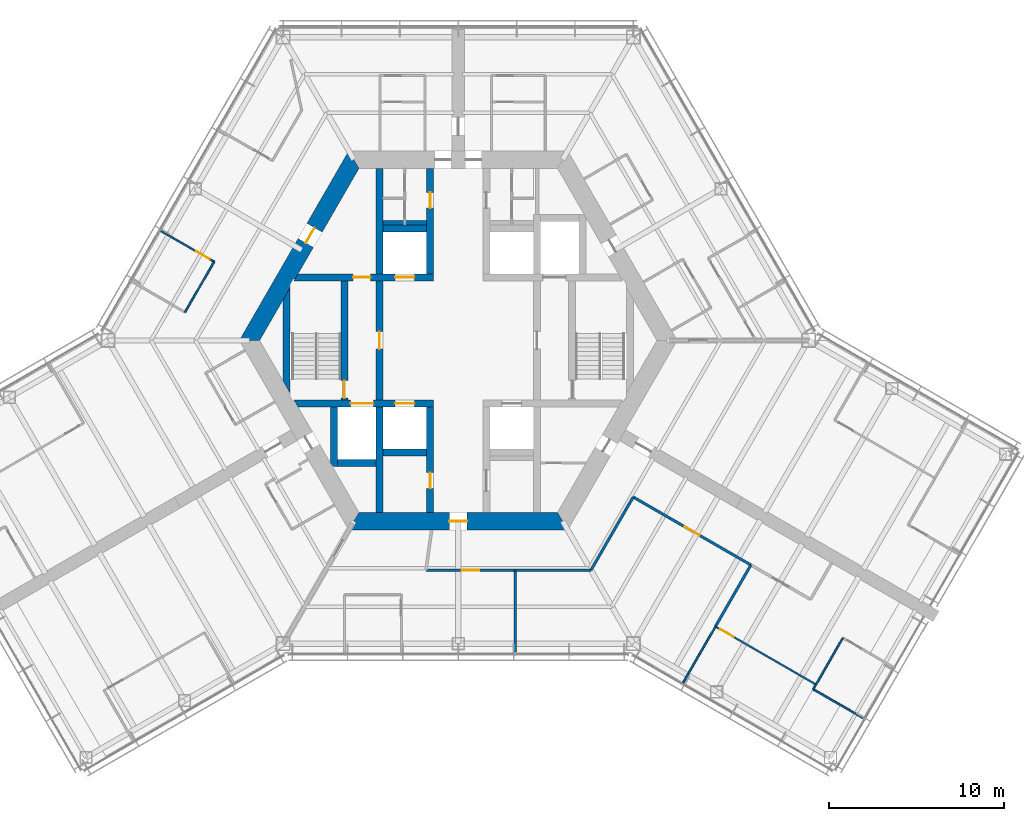
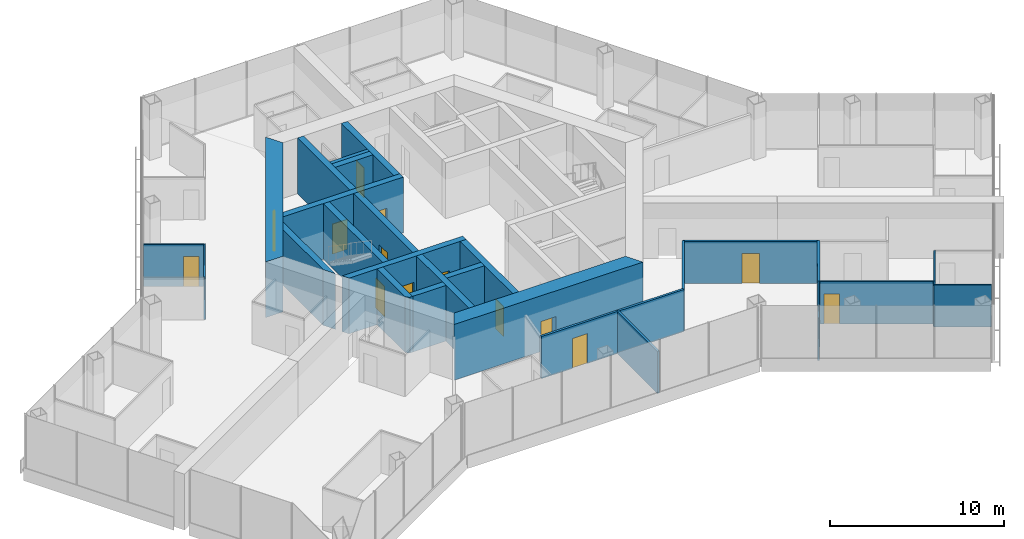
# One storey, part 12 of 18: 29 walls, 14 doors, 14 openings.
"""IFC4 building model written with IfcOpenShell, lengths in metres."""

from ifc_helpers import new_model, si_unit, direction, frame, frame_2d, origin, place, context, subcontext, project, spatial, polyline, rectangle, outline, extrude, material, layer, layer_set, type_object, element, fill, save


model = new_model("IFC4")

# Units and contexts
model_context = context("Model", 3, precision=1e-05, world=origin(), true_north=direction((0.0, 1.0)))
body_context = subcontext(model_context, "Body", "Model", "MODEL_VIEW")
ifc_project = project(units=[si_unit("LENGTHUNIT", "METRE"), si_unit("AREAUNIT", "SQUARE_METRE"), si_unit("VOLUMEUNIT", "CUBIC_METRE"), si_unit("PLANEANGLEUNIT", "RADIAN"), si_unit("MASSUNIT", "GRAM", prefix="KILO")], contexts=[model_context])

# Site, building, storey
site_placement = place(None, origin())
site = spatial("IfcSite", under=ifc_project, at=site_placement, CompositionType="ELEMENT")
building_placement = place(site_placement, origin())
building = spatial("IfcBuilding", under=site, at=building_placement, Name="Kasaneha Research Tower", CompositionType="ELEMENT")
storey_placement = place(building_placement, frame((0.0, 0.0, 168.199951171875)))
storey = spatial("IfcBuildingStorey", under=building, at=storey_placement, Name="L42", CompositionType="ELEMENT", Elevation=168.199951171875)

# Wall, openings, doors
ifc_material_1 = material(Name="Concrete Fc70", Category="concrete")
ifc_layer_1 = layer(ifc_material_1, 0.39990234375)
ifc_layer_set_1 = layer_set([ifc_layer_1], Name="Core internal wall 400 Fc70")
wall_type_1 = type_object("IfcWallType", Name="Core internal wall 400 Fc70", PredefinedType="SHEAR", material=ifc_layer_set_1)
wall_1_placement = place(storey_placement, frame((-9.266357421875, 3.60009765625, 0.0), z_axis=(0.0, 0.0, 1.0), x_axis=(1.0, 0.0, 0.0)))
wall_1 = element("IfcWall", 1, at=wall_1_placement, inside=storey, type_object=wall_type_1, Name="Core wall W1W L42", PredefinedType="SHEAR", context=body_context, shape_type="SweptSolid", body=[
    extrude(outline(polyline([(-0.115478515625, -0.199951171875), (3.266357421875, -0.199951171875), (4.266357421875, -0.199951171875), (5.66650390625, -0.199951171875), (6.7666015625, -0.199951171875), (7.866455078125, -0.199951171875), (7.866455078125, 0.199951171875), (6.7666015625, 0.199951171875), (5.66650390625, 0.199951171875), (4.266357421875, 0.199951171875), (3.266357421875, 0.199951171875), (0.115478515625, 0.199951171875), (-0.115478515625, -0.199951171875)])), origin(), (0.0, 0.0, 1.0), 3.900146484375),
])
opening_1_placement = place(wall_1_placement, frame((3.266357421875, 0.0, 0.0)))
opening_1 = element("IfcOpeningElement", 2, at=opening_1_placement, cuts=wall_1, Name="Opening L42-D12", PredefinedType="OPENING", context=body_context, shape_type="SweptSolid", body=[
    extrude(rectangle(XDim=1.0, YDim=2.10009765625, at=frame_2d((0.5, 1.050048828125))), frame((0.0, 0.2099609375, 0.0), z_axis=(0.0, -1.0, 0.0), x_axis=(1.0, 0.0, 0.0)), (0.0, 0.0, 1.0), 0.419921875),
])
opening_2_placement = place(wall_1_placement, frame((5.66650390625, 0.0, 0.0)))
opening_2 = element("IfcOpeningElement", 3, at=opening_2_placement, cuts=wall_1, Name="Opening LD-LM1-L42", PredefinedType="OPENING", context=body_context, shape_type="SweptSolid", body=[
    extrude(rectangle(XDim=1.10009765625, YDim=2.10009765625, at=frame_2d((0.550048828125, 1.050048828125))), frame((0.0, 0.2099609375, 0.0), z_axis=(0.0, -1.0, 0.0), x_axis=(1.0, 0.0, 0.0)), (0.0, 0.0, 1.0), 0.419921875),
])
ifc_material_2 = material(Name="Steel", Category="steel")
door_type_1 = type_object("IfcDoorType", Name="Lift landing door 1100x2100", OperationType="DOUBLE_DOOR_SLIDING", PredefinedType="DOOR", material=ifc_material_2)
door_1_placement = place(opening_2_placement, origin())
door_1 = element("IfcDoor", 4, at=door_1_placement, inside=storey, type_object=door_type_1, Name="Landing door LM1 LD-LM1-L42", OperationType="DOUBLE_DOOR_SLIDING", OverallHeight=2.10009765625, OverallWidth=1.10009765625, PredefinedType="DOOR", context=body_context, shape_type="SweptSolid", body=[
    extrude(rectangle(XDim=1.10009765625, YDim=2.10009765625, at=frame_2d((0.550048828125, 1.050048828125))), frame((0.0, 0.02490234375, 0.0), z_axis=(0.0, -1.0, 0.0), x_axis=(1.0, 0.0, 0.0)), (0.0, 0.0, 1.0), 0.050048828125),
])
fill(opening_2, door_1)
ifc_material_3 = material(Name="Steel", Category="steel")
door_type_2 = type_object("IfcDoorType", Name="Specified fire door FD60 1000x2100", OperationType="NOTDEFINED", PredefinedType="DOOR", material=ifc_material_3)
door_2_placement = place(opening_1_placement, origin())
door_2 = element("IfcDoor", 5, at=door_2_placement, inside=storey, type_object=door_type_2, Name="Vestibule to lobby door L42-D12", OperationType="SINGLE_SWING_LEFT", OverallHeight=2.10009765625, OverallWidth=1.0, PredefinedType="DOOR", context=body_context, shape_type="SweptSolid", body=[
    extrude(rectangle(XDim=1.0, YDim=2.10009765625, at=frame_2d((0.5, 1.050048828125))), frame((0.0, 0.02490234375, 0.0), z_axis=(0.0, -1.0, 0.0), x_axis=(1.0, 0.0, 0.0)), (0.0, 0.0, 1.0), 0.050048828125),
])
fill(opening_1, door_2)

wall_2_placement = place(storey_placement, frame((-9.266357421875, -3.60009765625, 0.0), z_axis=(0.0, 0.0, 1.0), x_axis=(1.0, 0.0, 0.0)))
wall_2 = element("IfcWall", 6, at=wall_2_placement, inside=storey, type_object=wall_type_1, Name="Core wall W2W L42", PredefinedType="SHEAR", context=body_context, shape_type="SweptSolid", body=[
    extrude(outline(polyline([(0.115478515625, -0.199951171875), (3.116455078125, -0.199951171875), (4.41650390625, -0.199951171875), (5.66650390625, -0.199951171875), (6.7666015625, -0.199951171875), (7.866455078125, -0.199951171875), (7.866455078125, 0.199951171875), (6.7666015625, 0.199951171875), (5.66650390625, 0.199951171875), (4.41650390625, 0.199951171875), (3.116455078125, 0.199951171875), (-0.115478515625, 0.199951171875), (0.115478515625, -0.199951171875)])), origin(), (0.0, 0.0, 1.0), 3.900146484375),
])
opening_3_placement = place(wall_2_placement, frame((5.66650390625, 0.0, 0.0)))
opening_3 = element("IfcOpeningElement", 7, at=opening_3_placement, cuts=wall_2, Name="Opening LD-LM3-L42", PredefinedType="OPENING", context=body_context, shape_type="SweptSolid", body=[
    extrude(rectangle(XDim=1.10009765625, YDim=2.10009765625, at=frame_2d((0.550048828125, 1.050048828125))), frame((0.0, 0.2099609375, 0.0), z_axis=(0.0, -1.0, 0.0), x_axis=(1.0, 0.0, 0.0)), (0.0, 0.0, 1.0), 0.419921875),
])
opening_4_placement = place(wall_2_placement, frame((3.116455078125, 0.0, 0.0)))
opening_4 = element("IfcOpeningElement", 8, at=opening_4_placement, cuts=wall_2, Name="Opening LD-FL2-L42", PredefinedType="OPENING", context=body_context, shape_type="SweptSolid", body=[
    extrude(rectangle(XDim=1.300048828125, YDim=2.10009765625, at=frame_2d((0.64990234375, 1.050048828125))), frame((0.0, 0.2099609375, 0.0), z_axis=(0.0, -1.0, 0.0), x_axis=(1.0, 0.0, 0.0)), (0.0, 0.0, 1.0), 0.419921875),
])
door_3_placement = place(opening_3_placement, origin())
door_3 = element("IfcDoor", 9, at=door_3_placement, inside=storey, type_object=door_type_1, Name="Landing door LM3 LD-LM3-L42", OperationType="DOUBLE_DOOR_SLIDING", OverallHeight=2.10009765625, OverallWidth=1.10009765625, PredefinedType="DOOR", context=body_context, shape_type="SweptSolid", body=[
    extrude(rectangle(XDim=1.10009765625, YDim=2.10009765625, at=frame_2d((0.550048828125, 1.050048828125))), frame((0.0, 0.02490234375, 0.0), z_axis=(0.0, -1.0, 0.0), x_axis=(1.0, 0.0, 0.0)), (0.0, 0.0, 1.0), 0.050048828125),
])
fill(opening_3, door_3)
ifc_material_4 = material(Name="Steel", Category="steel")
door_type_3 = type_object("IfcDoorType", Name="Lift landing door 1300x2100", OperationType="DOUBLE_DOOR_SLIDING", PredefinedType="DOOR", material=ifc_material_4)
door_4_placement = place(opening_4_placement, origin())
door_4 = element("IfcDoor", 10, at=door_4_placement, inside=storey, type_object=door_type_3, Name="Landing door FL2 LD-FL2-L42", OperationType="DOUBLE_DOOR_SLIDING", OverallHeight=2.10009765625, OverallWidth=1.300048828125, PredefinedType="DOOR", context=body_context, shape_type="SweptSolid", body=[
    extrude(rectangle(XDim=1.300048828125, YDim=2.10009765625, at=frame_2d((0.64990234375, 1.050048828125))), frame((0.0, 0.02490234375, 0.0), z_axis=(0.0, -1.0, 0.0), x_axis=(1.0, 0.0, 0.0)), (0.0, 0.0, 1.0), 0.050048828125),
])
fill(opening_4, door_4)

# Wall, opening, door
wall_3_placement = place(storey_placement, frame((-1.60009765625, 3.800048828125, 0.0), z_axis=(0.0, 0.0, 1.0), x_axis=(0.0, 1.0, 0.0)))
wall_3 = element("IfcWall", 11, at=wall_3_placement, inside=storey, type_object=wall_type_1, Name="Core wall CNW L42", PredefinedType="SHEAR", context=body_context, shape_type="SweptSolid", body=[
    extrude(rectangle(XDim=6.02490234375, YDim=0.39990234375, at=frame_2d((3.012451171875, 0.0))), origin(), (0.0, 0.0, 1.0), 3.900146484375),
])
opening_5_placement = place(wall_3_placement, frame((3.75, 0.0, 0.0)))
opening_5 = element("IfcOpeningElement", 12, at=opening_5_placement, cuts=wall_3, Name="Opening L42-D13", PredefinedType="OPENING", context=body_context, shape_type="SweptSolid", body=[
    extrude(rectangle(XDim=0.89990234375, YDim=2.10009765625, at=frame_2d((0.449951171875, 1.050048828125))), frame((0.0, 0.2099609375, 0.0), z_axis=(0.0, -1.0, 0.0), x_axis=(1.0, 0.0, 0.0)), (0.0, 0.0, 1.0), 0.419921875),
])
ifc_material_5 = material(Name="Steel", Category="steel")
door_type_4 = type_object("IfcDoorType", Name="Toilet door FD20 900x2100", OperationType="NOTDEFINED", PredefinedType="DOOR", material=ifc_material_5)
door_5_placement = place(opening_5_placement, origin())
door_5 = element("IfcDoor", 13, at=door_5_placement, inside=storey, type_object=door_type_4, Name="Men's WC door L42-D13", OperationType="SINGLE_SWING_LEFT", OverallHeight=2.10009765625, OverallWidth=0.89990234375, PredefinedType="DOOR", context=body_context, shape_type="SweptSolid", body=[
    extrude(rectangle(XDim=0.89990234375, YDim=2.10009765625, at=frame_2d((0.449951171875, 1.050048828125))), frame((0.0, 0.02490234375, 0.0), z_axis=(0.0, -1.0, 0.0), x_axis=(1.0, 0.0, 0.0)), (0.0, 0.0, 1.0), 0.050048828125),
])
fill(opening_5, door_5)

wall_4_placement = place(storey_placement, frame((-1.60009765625, -3.800048828125, 0.0), z_axis=(0.0, 0.0, 1.0), x_axis=(0.0, -1.0, 0.0)))
wall_4 = element("IfcWall", 14, at=wall_4_placement, inside=storey, type_object=wall_type_1, Name="Core wall CSW L42", PredefinedType="SHEAR", context=body_context, shape_type="SweptSolid", body=[
    extrude(rectangle(XDim=6.02490234375, YDim=0.39990234375, at=frame_2d((3.012451171875, 0.0))), origin(), (0.0, 0.0, 1.0), 3.900146484375),
])
opening_6_placement = place(wall_4_placement, frame((3.75, 0.0, 0.0)))
opening_6 = element("IfcOpeningElement", 15, at=opening_6_placement, cuts=wall_4, Name="Opening L42-D16", PredefinedType="OPENING", context=body_context, shape_type="SweptSolid", body=[
    extrude(rectangle(XDim=0.89990234375, YDim=2.10009765625, at=frame_2d((0.449951171875, 1.050048828125))), frame((0.0, 0.2099609375, 0.0), z_axis=(0.0, -1.0, 0.0), x_axis=(1.0, 0.0, 0.0)), (0.0, 0.0, 1.0), 0.419921875),
])
ifc_material_6 = material(Name="Steel", Category="steel")
door_type_5 = type_object("IfcDoorType", Name="Riser access door FD60 900x2100", OperationType="NOTDEFINED", PredefinedType="DOOR", material=ifc_material_6)
door_6_placement = place(opening_6_placement, origin())
door_6 = element("IfcDoor", 16, at=door_6_placement, inside=storey, type_object=door_type_5, Name="Electrical riser door L42-D16", OperationType="SINGLE_SWING_LEFT", OverallHeight=2.10009765625, OverallWidth=0.89990234375, PredefinedType="DOOR", context=body_context, shape_type="SweptSolid", body=[
    extrude(rectangle(XDim=0.89990234375, YDim=2.10009765625, at=frame_2d((0.449951171875, 1.050048828125))), frame((0.0, 0.02490234375, 0.0), z_axis=(0.0, -1.0, 0.0), x_axis=(1.0, 0.0, 0.0)), (0.0, 0.0, 1.0), 0.050048828125),
])
fill(opening_6, door_6)

wall_5_placement = place(storey_placement, frame((-4.5, -3.39990234375, 0.0), z_axis=(0.0, 0.0, 1.0), x_axis=(0.0, 1.0, 0.0)))
wall_5 = element("IfcWall", 17, at=wall_5_placement, inside=storey, type_object=wall_type_1, Name="Core wall LBW L42", PredefinedType="SHEAR", context=body_context, shape_type="SweptSolid", body=[
    extrude(rectangle(XDim=6.7998046875, YDim=0.39990234375, at=frame_2d((3.39990234375, 0.0))), origin(), (0.0, 0.0, 1.0), 3.900146484375),
])
opening_7_placement = place(wall_5_placement, frame((2.89990234375, 0.0, 0.0)))
opening_7 = element("IfcOpeningElement", 18, at=opening_7_placement, cuts=wall_5, Name="Opening L42-D09", PredefinedType="OPENING", context=body_context, shape_type="SweptSolid", body=[
    extrude(rectangle(XDim=1.0, YDim=2.10009765625, at=frame_2d((0.5, 1.050048828125))), frame((0.0, 0.2099609375, 0.0), z_axis=(0.0, -1.0, 0.0), x_axis=(1.0, 0.0, 0.0)), (0.0, 0.0, 1.0), 0.419921875),
])
door_7_placement = place(opening_7_placement, origin())
door_7 = element("IfcDoor", 19, at=door_7_placement, inside=storey, type_object=door_type_2, Name="Lift lobby door west L42-D09", OperationType="SINGLE_SWING_LEFT", OverallHeight=2.10009765625, OverallWidth=1.0, PredefinedType="DOOR", context=body_context, shape_type="SweptSolid", body=[
    extrude(rectangle(XDim=1.0, YDim=2.10009765625, at=frame_2d((0.5, 1.050048828125))), frame((0.0, 0.02490234375, 0.0), z_axis=(0.0, -1.0, 0.0), x_axis=(1.0, 0.0, 0.0)), (0.0, 0.0, 1.0), 0.050048828125),
])
fill(opening_7, door_7)

wall_6_placement = place(storey_placement, frame((-6.5, -3.39990234375, 0.0), z_axis=(0.0, 0.0, 1.0), x_axis=(0.0, 1.0, 0.0)))
wall_6 = element("IfcWall", 20, at=wall_6_placement, inside=storey, type_object=wall_type_1, Name="Core wall ANW L42", PredefinedType="SHEAR", context=body_context, shape_type="SweptSolid", body=[
    extrude(rectangle(XDim=6.7998046875, YDim=0.39990234375, at=frame_2d((3.39990234375, 0.0))), origin(), (0.0, 0.0, 1.0), 3.900146484375),
])
opening_8_placement = place(wall_6_placement, frame((0.10009765625, 0.0, 0.0)))
opening_8 = element("IfcOpeningElement", 21, at=opening_8_placement, cuts=wall_6, Name="Opening L42-D11", PredefinedType="OPENING", context=body_context, shape_type="SweptSolid", body=[
    extrude(rectangle(XDim=1.0, YDim=2.10009765625, at=frame_2d((0.5, 1.050048828125))), frame((0.0, 0.2099609375, 0.0), z_axis=(0.0, -1.0, 0.0), x_axis=(1.0, 0.0, 0.0)), (0.0, 0.0, 1.0), 0.419921875),
])
door_8_placement = place(opening_8_placement, origin())
door_8 = element("IfcDoor", 22, at=door_8_placement, inside=storey, type_object=door_type_2, Name="Stair 2 door L42-D11", OperationType="SINGLE_SWING_LEFT", OverallHeight=2.10009765625, OverallWidth=1.0, PredefinedType="DOOR", context=body_context, shape_type="SweptSolid", body=[
    extrude(rectangle(XDim=1.0, YDim=2.10009765625, at=frame_2d((0.5, 1.050048828125))), frame((0.0, 0.02490234375, 0.0), z_axis=(0.0, -1.0, 0.0), x_axis=(1.0, 0.0, 0.0)), (0.0, 0.0, 1.0), 0.050048828125),
])
fill(opening_8, door_8)

# Walls
for number, where, z_axis, x_axis, name in (
    (23, (-4.5, 3.800048828125, 0.0), (0.0, 0.0, 1.0), (0.0, 1.0, 0.0), "Core wall VNW L42"),
    (24, (-4.5, -3.800048828125, 0.0), (0.0, 0.0, 1.0), (0.0, -1.0, 0.0), "Core wall SSW L42"),
):
    element("IfcWall", number, at=place(storey_placement, frame(where, z_axis=z_axis, x_axis=x_axis)), inside=storey, type_object=wall_type_1, Name=name, PredefinedType="SHEAR", context=body_context, shape_type="SweptSolid", body=[
        extrude(rectangle(XDim=6.02490234375, YDim=0.39990234375, at=frame_2d((3.012451171875, 0.0))), origin(), (0.0, 0.0, 1.0), 3.900146484375),
    ])
for number, where, z_axis, x_axis, name in (
    (25, (-4.300048828125, 6.39990234375, 0.0), (0.0, 0.0, 1.0), (1.0, 0.0, 0.0), "Core wall N1N L42"),
    (26, (-4.300048828125, -6.39990234375, 0.0), (0.0, 0.0, 1.0), (1.0, 0.0, 0.0), "Core wall S1S L42"),
):
    element("IfcWall", number, at=place(storey_placement, frame(where, z_axis=z_axis, x_axis=x_axis)), inside=storey, type_object=wall_type_1, Name=name, PredefinedType="SHEAR", context=body_context, shape_type="SweptSolid", body=[
        extrude(rectangle(XDim=2.5, YDim=0.39990234375, at=frame_2d((1.25, 0.0))), origin(), (0.0, 0.0, 1.0), 3.900146484375),
    ])
wall_7_placement = place(storey_placement, frame((-6.89990234375, -7.0, 0.0), z_axis=(0.0, 0.0, 1.0), x_axis=(1.0, 0.0, 0.0)))
element("IfcWall", 27, at=wall_7_placement, inside=storey, type_object=wall_type_1, Name="Core wall F2S L42", PredefinedType="SHEAR", context=body_context, shape_type="SweptSolid", body=[
    extrude(rectangle(XDim=2.199951171875, YDim=0.39990234375, at=frame_2d((1.10009765625, 0.0))), origin(), (0.0, 0.0, 1.0), 3.900146484375),
])
wall_8_placement = place(storey_placement, frame((-7.10009765625, -3.800048828125, 0.0), z_axis=(0.0, 0.0, 1.0), x_axis=(0.0, -1.0, 0.0)))
element("IfcWall", 28, at=wall_8_placement, inside=storey, type_object=wall_type_1, Name="Core wall F2W L42", PredefinedType="SHEAR", context=body_context, shape_type="SweptSolid", body=[
    extrude(outline(polyline([(0.0, -0.199951171875), (3.205810546875, -0.199951171875), (3.39990234375, 0.0), (3.39990234375, 0.199951171875), (0.0, 0.199951171875), (0.0, -0.199951171875)])), origin(), (0.0, 0.0, 1.0), 3.900146484375),
])
wall_9_placement = place(storey_placement, frame((-9.807861328125, -2.662353515625, 0.0), z_axis=(0.0, 0.0, 1.0), x_axis=(0.0, 1.0, 0.0)))
element("IfcWall", 29, at=wall_9_placement, inside=storey, type_object=wall_type_1, Name="Core wall STW L42", PredefinedType="SHEAR", context=body_context, shape_type="SweptSolid", body=[
    extrude(outline(polyline([(-0.346435546875, -0.199951171875), (5.671142578125, -0.199951171875), (4.978271484375, 0.199951171875), (0.346435546875, 0.199951171875), (-0.346435546875, -0.199951171875)])), origin(), (0.0, 0.0, 1.0), 3.900146484375),
])

# Wall, opening, door
ifc_material_7 = material(Name="Concrete Fc70", Category="concrete")
ifc_layer_2 = layer(ifc_material_7, 1.0)
ifc_layer_set_2 = layer_set([ifc_layer_2], Name="Core wall 1000 Fc70")
wall_type_2 = type_object("IfcWallType", Name="Core wall 1000 Fc70", PredefinedType="SHEAR", material=ifc_layer_set_2)
wall_10_placement = place(storey_placement, frame((-5.961181640625, 10.324951171875, 0.0), z_axis=(0.0, 0.0, 1.0), x_axis=(-0.500004296715, -0.866022923061, 0.0)))
wall_10 = element("IfcWall", 30, at=wall_10_placement, inside=storey, type_object=wall_type_2, Name="Core wall 150 L42", PredefinedType="SHEAR", context=body_context, shape_type="SweptSolid", body=[
    extrude(outline(polyline([(-0.28857421875, -0.5), (4.494140625, -0.5), (5.494140625, -0.5), (12.2109375, -0.5), (11.6337890625, 0.5), (5.494140625, 0.5), (4.494140625, 0.5), (0.28857421875, 0.5), (-0.28857421875, -0.5)])), origin(), (0.0, 0.0, 1.0), 3.900146484375),
])
opening_9_placement = place(wall_10_placement, frame((4.494140625, 0.0, 0.0)))
opening_9 = element("IfcOpeningElement", 31, at=opening_9_placement, cuts=wall_10, Name="Opening L42-D07", PredefinedType="OPENING", context=body_context, shape_type="SweptSolid", body=[
    extrude(rectangle(XDim=1.0, YDim=2.10009765625, at=frame_2d((0.5, 1.050048828125))), frame((0.0, 0.510009765625, 0.0), z_axis=(0.0, -1.0, 0.0), x_axis=(1.0, 0.0, 0.0)), (0.0, 0.0, 1.0), 1.02001953125),
])
ifc_material_8 = material(Name="Steel", Category="steel")
door_type_6 = type_object("IfcDoorType", Name="Fire door FD20 1000x2100", OperationType="NOTDEFINED", PredefinedType="DOOR", material=ifc_material_8)
door_9_placement = place(opening_9_placement, origin())
door_9 = element("IfcDoor", 32, at=door_9_placement, inside=storey, type_object=door_type_6, Name="Vestibule door L42-D07", OperationType="SINGLE_SWING_LEFT", OverallHeight=2.10009765625, OverallWidth=1.0, PredefinedType="DOOR", context=body_context, shape_type="SweptSolid", body=[
    extrude(rectangle(XDim=1.0, YDim=2.10009765625, at=frame_2d((0.5, 1.050048828125))), frame((0.0, 0.02490234375, 0.0), z_axis=(0.0, -1.0, 0.0), x_axis=(1.0, 0.0, 0.0)), (0.0, 0.0, 1.0), 0.050048828125),
])
fill(opening_9, door_9)

wall_11_placement = place(storey_placement, frame((-5.961181640625, -10.324951171875, 0.0), z_axis=(0.0, 0.0, 1.0), x_axis=(1.0, 0.0, 0.0)))
wall_11 = element("IfcWall", 33, at=wall_11_placement, inside=storey, type_object=wall_type_2, Name="Core wall 270 L42", PredefinedType="SHEAR", context=body_context, shape_type="SweptSolid", body=[
    extrude(outline(polyline([(-0.28857421875, -0.5), (5.461181640625, -0.5), (6.461181640625, -0.5), (12.2109375, -0.5), (11.6337890625, 0.5), (6.461181640625, 0.5), (5.461181640625, 0.5), (0.28857421875, 0.5), (-0.28857421875, -0.5)])), origin(), (0.0, 0.0, 1.0), 3.900146484375),
])
opening_10_placement = place(wall_11_placement, frame((5.461181640625, 0.0, 0.0)))
opening_10 = element("IfcOpeningElement", 34, at=opening_10_placement, cuts=wall_11, Name="Opening L42-D03", PredefinedType="OPENING", context=body_context, shape_type="SweptSolid", body=[
    extrude(rectangle(XDim=1.0, YDim=2.10009765625, at=frame_2d((0.5, 1.050048828125))), frame((0.0, 0.510009765625, 0.0), z_axis=(0.0, -1.0, 0.0), x_axis=(1.0, 0.0, 0.0)), (0.0, 0.0, 1.0), 1.02001953125),
])
door_10_placement = place(opening_10_placement, origin())
door_10 = element("IfcDoor", 35, at=door_10_placement, inside=storey, type_object=door_type_6, Name="Core door south L42-D03", OperationType="SINGLE_SWING_LEFT", OverallHeight=2.10009765625, OverallWidth=1.0, PredefinedType="DOOR", context=body_context, shape_type="SweptSolid", body=[
    extrude(rectangle(XDim=1.0, YDim=2.10009765625, at=frame_2d((0.5, 1.050048828125))), frame((0.0, 0.02490234375, 0.0), z_axis=(0.0, -1.0, 0.0), x_axis=(1.0, 0.0, 0.0)), (0.0, 0.0, 1.0), 0.050048828125),
])
fill(opening_10, door_10)

ifc_material_9 = material(Name="Gypsum board on steel studs, one layer each side", Category="steel")
ifc_layer_3 = layer(ifc_material_9, 0.10009765625)
ifc_layer_set_3 = layer_set([ifc_layer_3], Name="Office partition 100")
wall_type_3 = type_object("IfcWallType", Name="Office partition 100", PredefinedType="PARTITIONING", material=ifc_layer_set_3)
wall_12_placement = place(storey_placement, frame((-16.97607421875, 6.247802734375, 0.0), z_axis=(0.0, 0.0, 1.0), x_axis=(0.866001150353, -0.500042005822, 0.0)))
wall_12 = element("IfcWall", 36, at=wall_12_placement, inside=storey, type_object=wall_type_3, Name="Office partition FBN04 L42", PredefinedType="PARTITIONING", context=body_context, shape_type="SweptSolid", body=[
    extrude(rectangle(XDim=3.505126953125, YDim=0.10009765625, at=frame_2d((1.75244140625, 0.0))), origin(), (0.0, 0.0, 1.0), 2.949951171875),
])
opening_11_placement = place(wall_12_placement, frame((2.30517578125, 0.0, 0.0)))
opening_11 = element("IfcOpeningElement", 37, at=opening_11_placement, cuts=wall_12, Name="Opening L42-D36", PredefinedType="OPENING", context=body_context, shape_type="SweptSolid", body=[
    extrude(rectangle(XDim=0.89990234375, YDim=2.10009765625, at=frame_2d((0.449951171875, 1.050048828125))), frame((0.0, 0.06005859375, 0.0), z_axis=(0.0, -1.0, 0.0), x_axis=(1.0, 0.0, 0.0)), (0.0, 0.0, 1.0), 0.1201171875),
])
ifc_material_10 = material(Name="Timber veneer", Category="wood")
door_type_7 = type_object("IfcDoorType", Name="Office door 900x2100", OperationType="SINGLE_SWING_LEFT", PredefinedType="DOOR", material=ifc_material_10)
door_11_placement = place(opening_11_placement, origin())
door_11 = element("IfcDoor", 38, at=door_11_placement, inside=storey, type_object=door_type_7, Name="Manager's office door L42-D36", OperationType="SINGLE_SWING_RIGHT", OverallHeight=2.10009765625, OverallWidth=0.89990234375, PredefinedType="DOOR", context=body_context, shape_type="SweptSolid", body=[
    extrude(rectangle(XDim=0.89990234375, YDim=2.10009765625, at=frame_2d((0.449951171875, 1.050048828125))), frame((0.0, 0.02490234375, 0.0), z_axis=(0.0, -1.0, 0.0), x_axis=(1.0, 0.0, 0.0)), (0.0, 0.0, 1.0), 0.050048828125),
])
fill(opening_11, door_11)

# Walls
wall_13_placement = place(storey_placement, frame((-13.940673828125, 4.4951171875, 0.0), z_axis=(0.0, 0.0, 1.0), x_axis=(-0.500033344505, -0.86600615147, 0.0)))
element("IfcWall", 39, at=wall_13_placement, inside=storey, type_object=wall_type_3, Name="Office partition FBN06 L42", PredefinedType="PARTITIONING", context=body_context, shape_type="SweptSolid", body=[
    extrude(rectangle(XDim=3.330810546875, YDim=0.10009765625, at=frame_2d((1.66552734375, 0.0))), origin(), (0.0, 0.0, 1.0), 2.949951171875),
])
wall_14_placement = place(storey_placement, frame((20.275146484375, -19.923583984375, 0.0), z_axis=(0.0, 0.0, 1.0), x_axis=(0.86598972202, -0.500061797536, 0.0)))
element("IfcWall", 40, at=wall_14_placement, inside=storey, type_object=wall_type_3, Name="Office partition FCS08 L42", PredefinedType="PARTITIONING", context=body_context, shape_type="SweptSolid", body=[
    extrude(rectangle(XDim=3.27978515625, YDim=0.10009765625, at=frame_2d((1.639892578125, 0.0))), origin(), (0.0, 0.0, 1.0), 2.949951171875),
])
wall_15_placement = place(storey_placement, frame((20.4296875, -19.64599609375, 0.0), z_axis=(0.0, 0.0, 1.0), x_axis=(-0.486425680342, -0.873721956634, 0.0)))
element("IfcWall", 41, at=wall_15_placement, inside=storey, type_object=wall_type_3, Name="Office partition FCS09 L42", PredefinedType="PARTITIONING", context=body_context, shape_type="SweptSolid", body=[
    extrude(rectangle(XDim=0.317626953125, YDim=0.10009765625, at=frame_2d((0.15869140625, 0.0))), origin(), (0.0, 0.0, 1.0), 2.949951171875),
])
wall_16_placement = place(storey_placement, frame((12.839599609375, -19.543212890625, 0.0), z_axis=(0.0, 0.0, 1.0), x_axis=(0.50111938689, 0.865378160161, 0.0)))
element("IfcWall", 42, at=wall_16_placement, inside=storey, type_object=wall_type_3, Name="Office partition FCS10 L42", PredefinedType="PARTITIONING", context=body_context, shape_type="SweptSolid", body=[
    extrude(rectangle(XDim=3.705078125, YDim=0.10009765625, at=frame_2d((1.8525390625, 0.0))), origin(), (0.0, 0.0, 1.0), 2.949951171875),
])

# Wall, opening, door
wall_17_placement = place(storey_placement, frame((14.68994140625, -16.33837890625, 0.0), z_axis=(0.0, 0.0, 1.0), x_axis=(0.866056800938, -0.499945614591, 0.0)))
wall_17 = element("IfcWall", 43, at=wall_17_placement, inside=storey, type_object=wall_type_3, Name="Office partition FCS11 L42", PredefinedType="PARTITIONING", context=body_context, shape_type="SweptSolid", body=[
    extrude(rectangle(XDim=6.629150390625, YDim=0.10009765625, at=frame_2d((3.314453125, 0.0))), origin(), (0.0, 0.0, 1.0), 2.949951171875),
])
opening_12_placement = place(wall_17_placement, frame((0.300048828125, 0.0, 0.0)))
opening_12 = element("IfcOpeningElement", 44, at=opening_12_placement, cuts=wall_17, Name="Opening L42-D47", PredefinedType="OPENING", context=body_context, shape_type="SweptSolid", body=[
    extrude(rectangle(XDim=0.89990234375, YDim=2.10009765625, at=frame_2d((0.449951171875, 1.050048828125))), frame((0.0, 0.06005859375, 0.0), z_axis=(0.0, -1.0, 0.0), x_axis=(1.0, 0.0, 0.0)), (0.0, 0.0, 1.0), 0.1201171875),
])
door_12_placement = place(opening_12_placement, origin())
door_12 = element("IfcDoor", 45, at=door_12_placement, inside=storey, type_object=door_type_7, Name="Meeting room door L42-D47", OperationType="SINGLE_SWING_LEFT", OverallHeight=2.10009765625, OverallWidth=0.89990234375, PredefinedType="DOOR", context=body_context, shape_type="SweptSolid", body=[
    extrude(rectangle(XDim=0.89990234375, YDim=2.10009765625, at=frame_2d((0.449951171875, 1.050048828125))), frame((0.0, 0.02490234375, 0.0), z_axis=(0.0, -1.0, 0.0), x_axis=(1.0, 0.0, 0.0)), (0.0, 0.0, 1.0), 0.050048828125),
])
fill(opening_12, door_12)

# Walls
wall_18_placement = place(storey_placement, frame((20.431396484375, -19.652587890625, 0.0), z_axis=(0.0, 0.0, 1.0), x_axis=(0.500029867204, 0.86600815926, 0.0)))
element("IfcWall", 46, at=wall_18_placement, inside=storey, type_object=wall_type_3, Name="Office partition FCS15 L42", PredefinedType="PARTITIONING", context=body_context, shape_type="SweptSolid", body=[
    extrude(rectangle(XDim=3.070556640625, YDim=0.10009765625, at=frame_2d((1.53515625, 0.0))), origin(), (0.0, 0.0, 1.0), 2.949951171875),
])
ifc_material_11 = material(Name="Gypsum board on steel studs, two layers each side", Category="steel")
ifc_layer_4 = layer(ifc_material_11, 0.14990234375)
ifc_layer_set_4 = layer_set([ifc_layer_4], Name="Suite partition 150")
wall_type_4 = type_object("IfcWallType", Name="Suite partition 150", PredefinedType="PARTITIONING", material=ifc_layer_set_4)
wall_19_placement = place(storey_placement, frame((7.57763671875, -13.125, 0.0), z_axis=(0.0, 0.0, 1.0), x_axis=(-1.0, 0.0, 0.0)))
element("IfcWall", 47, at=wall_19_placement, inside=storey, type_object=wall_type_4, Name="Suite partition FCS01 L42", PredefinedType="PARTITIONING", context=body_context, shape_type="SweptSolid", body=[
    extrude(rectangle(XDim=4.336181640625, YDim=0.14990234375, at=frame_2d((2.16796875, 0.0))), origin(), (0.0, 0.0, 1.0), 2.949951171875),
])
wall_20_placement = place(storey_placement, frame((9.99169921875, -8.944091796875, 0.0), z_axis=(0.0, 0.0, 1.0), x_axis=(-0.500033248206, -0.866006207073, 0.0)))
element("IfcWall", 48, at=wall_20_placement, inside=storey, type_object=wall_type_4, Name="Suite partition FCS02 L42", PredefinedType="PARTITIONING", context=body_context, shape_type="SweptSolid", body=[
    extrude(rectangle(XDim=4.827880859375, YDim=0.14990234375, at=frame_2d((2.4140625, 0.0))), origin(), (0.0, 0.0, 1.0), 2.949951171875),
])

# Wall, opening, door
wall_21_placement = place(storey_placement, frame((16.721435546875, -12.82958984375, 0.0), z_axis=(0.0, 0.0, 1.0), x_axis=(-0.866020780657, 0.500008007406, 0.0)))
wall_21 = element("IfcWall", 49, at=wall_21_placement, inside=storey, type_object=wall_type_4, Name="Suite partition FCS03 L42", PredefinedType="PARTITIONING", context=body_context, shape_type="SweptSolid", body=[
    extrude(rectangle(XDim=7.770751953125, YDim=0.14990234375, at=frame_2d((3.88525390625, 0.0))), origin(), (0.0, 0.0, 1.0), 2.949951171875),
])
opening_13_placement = place(wall_21_placement, frame((3.385498046875, 0.0, 0.0)))
opening_13 = element("IfcOpeningElement", 50, at=opening_13_placement, cuts=wall_21, Name="Opening L42-D44", PredefinedType="OPENING", context=body_context, shape_type="SweptSolid", body=[
    extrude(rectangle(XDim=1.0, YDim=2.10009765625, at=frame_2d((0.5, 1.050048828125))), frame((0.0, 0.0849609375, 0.0), z_axis=(0.0, -1.0, 0.0), x_axis=(1.0, 0.0, 0.0)), (0.0, 0.0, 1.0), 0.169921875),
])
ifc_material_12 = material(Name="Steel", Category="steel")
door_type_8 = type_object("IfcDoorType", Name="Suite entrance door FD60 1000x2100", OperationType="NOTDEFINED", PredefinedType="DOOR", material=ifc_material_12)
door_13_placement = place(opening_13_placement, origin())
door_13 = element("IfcDoor", 51, at=door_13_placement, inside=storey, type_object=door_type_8, Name="Suite entrance door L42-D44", OperationType="SINGLE_SWING_LEFT", OverallHeight=2.10009765625, OverallWidth=1.0, PredefinedType="DOOR", context=body_context, shape_type="SweptSolid", body=[
    extrude(rectangle(XDim=1.0, YDim=2.10009765625, at=frame_2d((0.5, 1.050048828125))), frame((0.0, 0.02490234375, 0.0), z_axis=(0.0, -1.0, 0.0), x_axis=(1.0, 0.0, 0.0)), (0.0, 0.0, 1.0), 0.050048828125),
])
fill(opening_13, door_13)

wall_22_placement = place(storey_placement, frame((3.25146484375, -13.125, 0.0), z_axis=(0.0, 0.0, 1.0), x_axis=(-1.0, 0.0, 0.0)))
wall_22 = element("IfcWall", 52, at=wall_22_placement, inside=storey, type_object=wall_type_4, Name="Suite partition FCS05 L42", PredefinedType="PARTITIONING", context=body_context, shape_type="SweptSolid", body=[
    extrude(rectangle(XDim=5.095947265625, YDim=0.14990234375, at=frame_2d((2.5478515625, 0.0))), origin(), (0.0, 0.0, 1.0), 2.949951171875),
])
opening_14_placement = place(wall_22_placement, frame((2.048095703125, 0.0, 0.0)))
opening_14 = element("IfcOpeningElement", 53, at=opening_14_placement, cuts=wall_22, Name="Opening L42-D45", PredefinedType="OPENING", context=body_context, shape_type="SweptSolid", body=[
    extrude(rectangle(XDim=1.0, YDim=2.10009765625, at=frame_2d((0.5, 1.050048828125))), frame((0.0, 0.0849609375, 0.0), z_axis=(0.0, -1.0, 0.0), x_axis=(1.0, 0.0, 0.0)), (0.0, 0.0, 1.0), 0.169921875),
])
door_14_placement = place(opening_14_placement, origin())
door_14 = element("IfcDoor", 54, at=door_14_placement, inside=storey, type_object=door_type_8, Name="Suite entrance door L42-D45", OperationType="SINGLE_SWING_LEFT", OverallHeight=2.10009765625, OverallWidth=1.0, PredefinedType="DOOR", context=body_context, shape_type="SweptSolid", body=[
    extrude(rectangle(XDim=1.0, YDim=2.10009765625, at=frame_2d((0.5, 1.050048828125))), frame((0.0, 0.02490234375, 0.0), z_axis=(0.0, -1.0, 0.0), x_axis=(1.0, 0.0, 0.0)), (0.0, 0.0, 1.0), 0.050048828125),
])
fill(opening_14, door_14)

# Walls
wall_23_placement = place(storey_placement, frame((3.246337890625, -17.800537109375, 0.0), z_axis=(0.0, 0.0, 1.0), x_axis=(0.001096662352, 0.999999398666, 0.0)))
element("IfcWall", 55, at=wall_23_placement, inside=storey, type_object=wall_type_4, Name="Suite partition FCS17 L42", PredefinedType="PARTITIONING", context=body_context, shape_type="SweptSolid", body=[
    extrude(rectangle(XDim=4.675048828125, YDim=0.14990234375, at=frame_2d((2.33740234375, 0.0))), origin(), (0.0, 0.0, 1.0), 2.949951171875),
])
wall_24_placement = place(storey_placement, frame((16.712646484375, -12.824951171875, 0.0), z_axis=(0.0, 0.0, 1.0), x_axis=(-0.498976779382, -0.866615355067, 0.0)))
element("IfcWall", 56, at=wall_24_placement, inside=storey, type_object=wall_type_4, Name="Suite partition FCS18 L42", PredefinedType="PARTITIONING", context=body_context, shape_type="SweptSolid", body=[
    extrude(rectangle(XDim=4.05419921875, YDim=0.14990234375, at=frame_2d((2.027099609375, 0.0))), origin(), (0.0, 0.0, 1.0), 2.949951171875),
])
ifc_material_13 = material(Name="Concrete block lining", Category="concrete")
ifc_layer_5 = layer(ifc_material_13, 0.25)
ifc_layer_set_5 = layer_set([ifc_layer_5], Name="WC plumbing wall 250")
wall_type_5 = type_object("IfcWallType", Name="WC plumbing wall 250", PredefinedType="PLUMBINGWALL", material=ifc_layer_set_5)
wall_25_placement = place(storey_placement, frame((-4.300048828125, 6.72509765625, 0.0), z_axis=(0.0, 0.0, 1.0), x_axis=(1.0, 0.0, 0.0)))
element("IfcWall", 57, at=wall_25_placement, inside=storey, type_object=wall_type_5, Name="WC plumbing wall M L42", PredefinedType="PLUMBINGWALL", context=body_context, shape_type="SweptSolid", body=[
    extrude(rectangle(XDim=2.5, YDim=0.25, at=frame_2d((1.25, 0.0))), origin(), (0.0, 0.0, 1.0), 3.900146484375),
])

save(model, "model.ifc")
